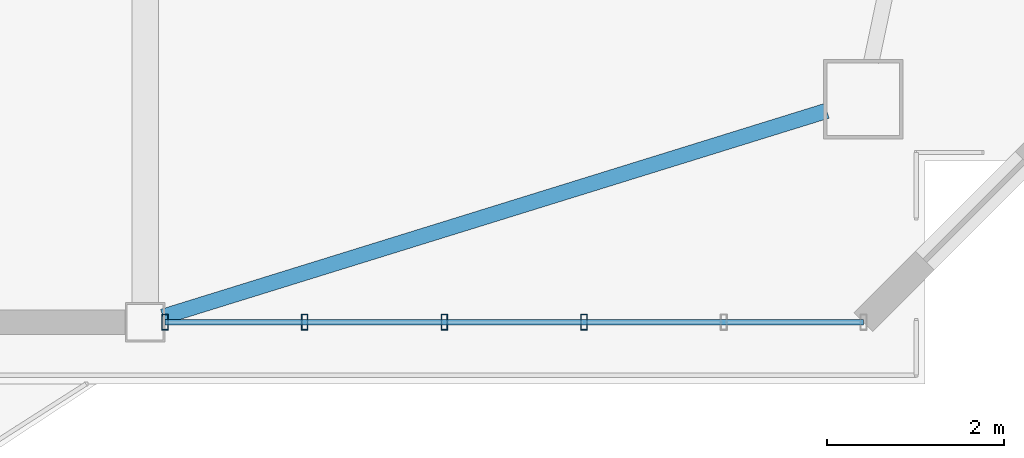
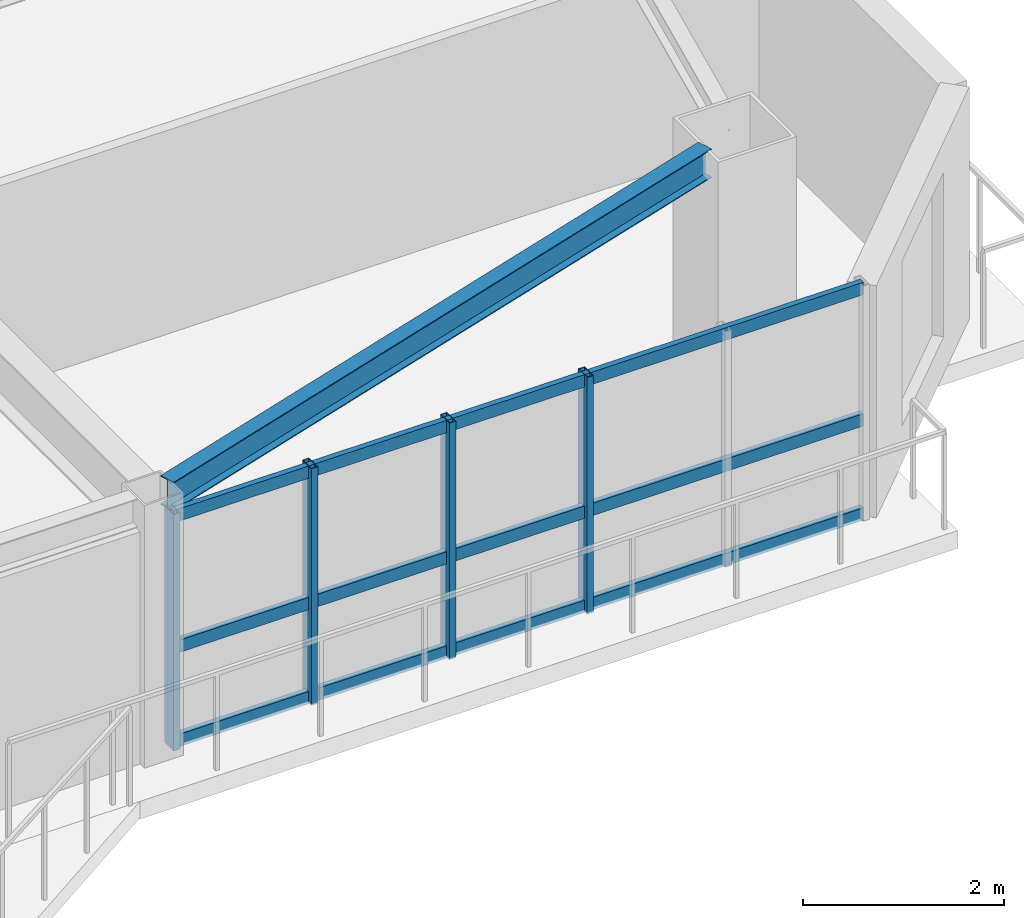
# One storey, part 4 of 16: 7 members, 1 beam, 1 element without a shape of its own.
"""IFC4 building model written with IfcOpenShell, lengths in metres."""

from ifc_helpers import new_model, si_unit, direction, frame, origin, origin_2d, place, context, subcontext, project, spatial, hollow_rectangle, i_section, extrude, source, transform, mapped, material, layer, layer_set, material_profile, profile_set, type_object, element, aggregate, save


model = new_model("IFC4")

# Units and contexts
model_context = context("Model", 3, precision=1e-05, world=origin(), true_north=direction((0.0, 1.0)))
body_context = subcontext(model_context, "Body", "Model", "MODEL_VIEW")
ifc_project = project(units=[si_unit("LENGTHUNIT", "METRE"), si_unit("AREAUNIT", "SQUARE_METRE"), si_unit("VOLUMEUNIT", "CUBIC_METRE"), si_unit("PLANEANGLEUNIT", "RADIAN"), si_unit("MASSUNIT", "GRAM", prefix="KILO")], contexts=[model_context])

# Site, building, storey
site_placement = place(None, origin())
site = spatial("IfcSite", under=ifc_project, at=site_placement, CompositionType="ELEMENT")
building_placement = place(site_placement, origin())
building = spatial("IfcBuilding", under=site, at=building_placement, Name="Giltprow Tower", CompositionType="ELEMENT")
storey_placement = place(building_placement, frame((0.0, 0.0, 272.300048828125)))
storey = spatial("IfcBuildingStorey", under=building, at=storey_placement, Name="L70", CompositionType="ELEMENT", Elevation=272.300048828125)

# Beam
ifc_material_1 = material(Name="Structural steel Q355B", Category="steel")
ifc_material_profile_1 = material_profile(ifc_material_1, i_section(OverallWidth=0.175048828125, OverallDepth=0.35009765625, WebThickness=0.007080078125, FlangeThickness=0.010986328125, at=origin_2d()), Name="HN 350x175x7x11")
ifc_profile_set_1 = profile_set([ifc_material_profile_1], Name="Structural steel Q355B")
beam_type = type_object("IfcBeamType", Name="BM-SPAN-HN350", PredefinedType="SPANDREL", material=ifc_profile_set_1)
shared_shape_1 = source(origin(), body_context, "Body", "SweptSolid", [
    extrude(i_section(OverallWidth=0.175048828125, OverallDepth=0.35009765625, WebThickness=0.007080078125, FlangeThickness=0.010986328125, at=origin_2d()), origin(), (0.0, 0.0, 1.0), 7.871337890625),
])
beam_placement = place(storey_placement, frame((50.7509765625, 17.0380859375, 3.010009765625), z_axis=(0.95510590806, 0.296264585107, 0.0), x_axis=(-0.296264585107, 0.95510590806, 0.0)))
element("IfcBeam", 1, at=beam_placement, inside=storey, type_object=beam_type, Name="L70 Perimeter Spandrel Beam S4-MC_SE", PredefinedType="SPANDREL", context=body_context, shape_type="MappedRepresentation", body=[
    mapped(shared_shape_1, transform((0.0, 0.0, 0.0), x_axis=(1.0, 0.0, 0.0), y_axis=(0.0, 1.0, 0.0), z_axis=(0.0, 0.0, 1.0), scale=1.0)),
])

# Curtain wall, members
ifc_material_2 = material(Name="Anodized bronze", Category="metal")
ifc_layer = layer(ifc_material_2, 0.179931640625, Name="Anodized bronze")
ifc_layer_set = layer_set([ifc_layer], Name="Anodized bronze")
curtain_wall_type = type_object("IfcCurtainWallType", Name="CW-RES-SKY", PredefinedType="NOTDEFINED", material=ifc_layer_set)
curtain_wall_placement = place(storey_placement, origin())
curtain_wall = element("IfcCurtainWall", 2, at=curtain_wall_placement, inside=storey, type_object=curtain_wall_type, Name="L70 South Recessed Curtain Wall 6", PredefinedType="NOTDEFINED")
ifc_material_profile_2 = material_profile(ifc_material_2, hollow_rectangle(XDim=0.074951171875, YDim=0.179931640625, WallThickness=0.008056640625, at=origin_2d()), Name="RHS 180x75x8")
ifc_profile_set_2 = profile_set([ifc_material_profile_2], Name="Anodized bronze")
member_type_1 = type_object("IfcMemberType", Name="CW-MULLION-180x75", PredefinedType="MULLION", material=ifc_profile_set_2)
shared_shape_2 = source(origin(), body_context, "Body", "SweptSolid", [
    extrude(hollow_rectangle(XDim=0.074951171875, YDim=0.179931640625, WallThickness=0.008056640625, at=origin_2d()), origin(), (0.0, 0.0, 1.0), 2.869873046875),
])
member_1_placement = place(storey_placement, frame((50.77490234375, 16.97607421875, -0.02001953125), z_axis=(0.0, 0.0, 1.0), x_axis=(1.0, 0.0, 0.0)))
member_1 = element("IfcMember", 3, at=member_1_placement, type_object=member_type_1, Name="L70 South Recessed Curtain Wall 6 Mullion 1", PredefinedType="MULLION", context=body_context, shape_type="MappedRepresentation", body=[
    mapped(shared_shape_2, transform((0.0, 0.0, 0.0), x_axis=(1.0, 0.0, 0.0), y_axis=(0.0, 1.0, 0.0), z_axis=(0.0, 0.0, 1.0), scale=1.0)),
])
member_2_placement = place(storey_placement, frame((52.35693359375, 16.97607421875, -0.02001953125), z_axis=(0.0, 0.0, 1.0), x_axis=(1.0, 0.0, 0.0)))
member_2 = element("IfcMember", 4, at=member_2_placement, type_object=member_type_1, Name="L70 South Recessed Curtain Wall 6 Mullion 2", PredefinedType="MULLION", context=body_context, shape_type="MappedRepresentation", body=[
    mapped(shared_shape_2, transform((0.0, 0.0, 0.0), x_axis=(1.0, 0.0, 0.0), y_axis=(0.0, 1.0, 0.0), z_axis=(0.0, 0.0, 1.0), scale=1.0)),
])
member_3_placement = place(storey_placement, frame((53.93896484375, 16.97607421875, -0.02001953125), z_axis=(0.0, 0.0, 1.0), x_axis=(1.0, 0.0, 0.0)))
member_3 = element("IfcMember", 5, at=member_3_placement, type_object=member_type_1, Name="L70 South Recessed Curtain Wall 6 Mullion 3", PredefinedType="MULLION", context=body_context, shape_type="MappedRepresentation", body=[
    mapped(shared_shape_2, transform((0.0, 0.0, 0.0), x_axis=(1.0, 0.0, 0.0), y_axis=(0.0, 1.0, 0.0), z_axis=(0.0, 0.0, 1.0), scale=1.0)),
])
member_4_placement = place(storey_placement, frame((55.52001953125, 16.97607421875, -0.02001953125), z_axis=(0.0, 0.0, 1.0), x_axis=(1.0, 0.0, 0.0)))
member_4 = element("IfcMember", 6, at=member_4_placement, type_object=member_type_1, Name="L70 South Recessed Curtain Wall 6 Mullion 4", PredefinedType="MULLION", context=body_context, shape_type="MappedRepresentation", body=[
    mapped(shared_shape_2, transform((0.0, 0.0, 0.0), x_axis=(1.0, 0.0, 0.0), y_axis=(0.0, 1.0, 0.0), z_axis=(0.0, 0.0, 1.0), scale=1.0)),
])
ifc_material_profile_3 = material_profile(ifc_material_2, hollow_rectangle(XDim=0.06494140625, YDim=0.14990234375, WallThickness=0.006103515625, at=origin_2d()), Name="RHS 150x65x6")
ifc_profile_set_3 = profile_set([ifc_material_profile_3], Name="Anodized bronze")
member_type_2 = type_object("IfcMemberType", Name="CW-TRANSOM-150x65", PredefinedType="USERDEFINED", material=ifc_profile_set_3)
shared_shape_3 = source(origin(), body_context, "Body", "SweptSolid", [
    extrude(hollow_rectangle(XDim=0.06494140625, YDim=0.14990234375, WallThickness=0.006103515625, at=origin_2d()), origin(), (0.0, 0.0, 1.0), 7.9091796875),
])
member_5_placement = place(storey_placement, frame((50.77490234375, 16.97607421875, 0.0400390625), z_axis=(1.0, 0.0, 0.0), x_axis=(0.0, 1.0, 0.0)))
member_5 = element("IfcMember", 7, at=member_5_placement, type_object=member_type_2, Name="L70 South Recessed Curtain Wall 6 Transom 1", ObjectType="TRANSOM", PredefinedType="USERDEFINED", context=body_context, shape_type="MappedRepresentation", body=[
    mapped(shared_shape_3, transform((0.0, 0.0, 0.0), x_axis=(1.0, 0.0, 0.0), y_axis=(0.0, 1.0, 0.0), z_axis=(0.0, 0.0, 1.0), scale=1.0)),
])
member_6_placement = place(storey_placement, frame((50.77490234375, 16.97607421875, 1.181884765625), z_axis=(1.0, 0.0, 0.0), x_axis=(0.0, 1.0, 0.0)))
member_6 = element("IfcMember", 8, at=member_6_placement, type_object=member_type_2, Name="L70 South Recessed Curtain Wall 6 Transom 2", ObjectType="TRANSOM", PredefinedType="USERDEFINED", context=body_context, shape_type="MappedRepresentation", body=[
    mapped(shared_shape_3, transform((0.0, 0.0, 0.0), x_axis=(1.0, 0.0, 0.0), y_axis=(0.0, 1.0, 0.0), z_axis=(0.0, 0.0, 1.0), scale=1.0)),
])
member_7_placement = place(storey_placement, frame((50.77490234375, 16.97607421875, 2.77490234375), z_axis=(1.0, 0.0, 0.0), x_axis=(0.0, 1.0, 0.0)))
member_7 = element("IfcMember", 9, at=member_7_placement, type_object=member_type_2, Name="L70 South Recessed Curtain Wall 6 Transom 3", ObjectType="TRANSOM", PredefinedType="USERDEFINED", context=body_context, shape_type="MappedRepresentation", body=[
    mapped(shared_shape_3, transform((0.0, 0.0, 0.0), x_axis=(1.0, 0.0, 0.0), y_axis=(0.0, 1.0, 0.0), z_axis=(0.0, 0.0, 1.0), scale=1.0)),
])
aggregate(curtain_wall, [member_1, member_2, member_3, member_4, member_5, member_6, member_7])

save(model, "model.ifc")
